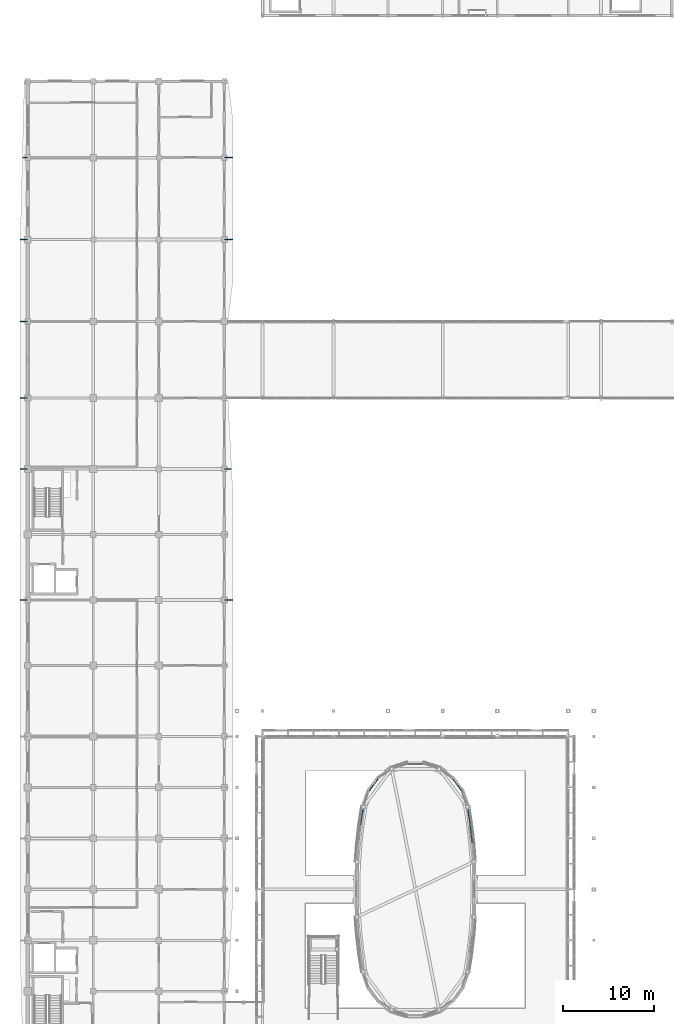
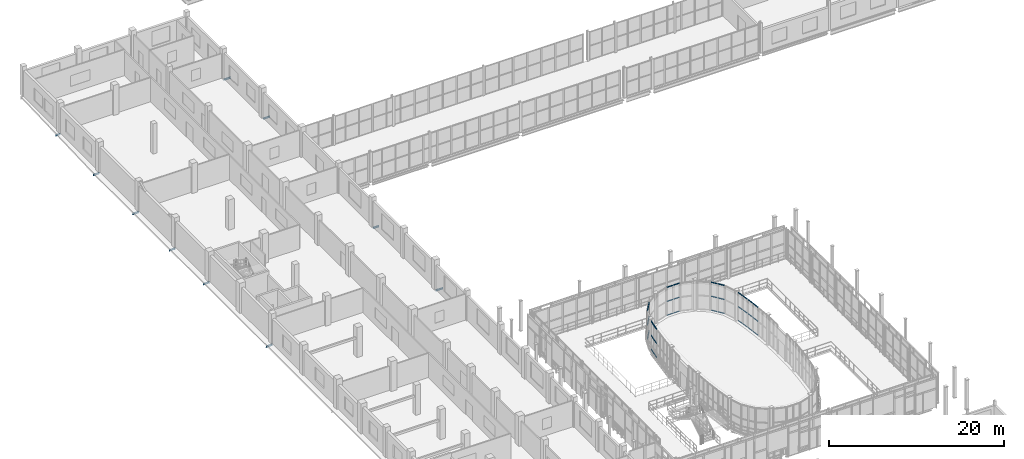
# One storey, part 75 of 121: 36 members, 10 beams, 6 elements without a shape of their own.
"""IFC4 building model written with IfcOpenShell, lengths in metres."""

import ifcopenshell
import ifcopenshell.guid

model = None  # the IFC model being written
_history = None  # IfcOwnerHistory: only IFC2X3 demands one
_inside = {}  # id of a spatial element -> (the spatial element, [elements in it])
_under = {}  # id of a project, library or spatial element -> (it, [spatial elements below it])
_declared = {}  # id of a project -> (the project, [libraries it declares])
_typed = {}  # id of a type object -> (the type object, [elements of that type])
_made_of = {}  # id of a material, layer set ... -> (it, [elements and type objects made of it])


def new_model(schema):
    """Start an empty IFC model of exactly this schema.

    Asked for "IFC4X3", IfcOpenShell would pick the latest addendum, in which some entities
    have other attributes; the version numbers below select the first issue.
    IFC2X3 requires an IfcOwnerHistory on every rooted entity: one is made here for all.
    """
    global model, _history
    if schema == "IFC4X3":
        model = ifcopenshell.file(schema_version=(4, 3, 0, 0))
    else:
        model = ifcopenshell.file(schema=schema)
    _inside.clear()
    _under.clear()
    _declared.clear()
    _typed.clear()
    _made_of.clear()
    _history = None
    if model.schema == "IFC2X3":
        org = make("IfcOrganization", Name="unknown")
        user = make(
            "IfcPersonAndOrganization",
            ThePerson=make("IfcPerson", FamilyName="unknown"),
            TheOrganization=org,
        )
        app = make(
            "IfcApplication",
            ApplicationDeveloper=org,
            Version="unknown",
            ApplicationFullName="unknown",
            ApplicationIdentifier="unknown",
        )
        _history = make(
            "IfcOwnerHistory",
            OwningUser=user,
            OwningApplication=app,
            ChangeAction="ADDED",
            CreationDate=0,
        )
    return model


def make(cls, **values):
    """One entity of the class cls with the attributes given. An attribute that is None is left unset."""
    return model.create_entity(
        cls, **{name: value for name, value in values.items() if value is not None}
    )


def rooted(cls, **values):
    """An entity with a GlobalId (a new one), such as an element, a storey or a relation."""
    return make(cls, GlobalId=ifcopenshell.guid.new(), OwnerHistory=_history, **values)


def si_unit(unit_type, name, prefix=None):
    """IfcSIUnit, for example si_unit("LENGTHUNIT", "METRE", prefix="MILLI")."""
    return make("IfcSIUnit", UnitType=unit_type, Prefix=prefix, Name=name)


def assignment(units):
    """IfcUnitAssignment: the units of a project."""
    return None if units is None else make("IfcUnitAssignment", Units=units)


def point(xyz):
    """IfcCartesianPoint."""
    return None if xyz is None else make("IfcCartesianPoint", Coordinates=xyz)


def direction(xyz):
    """IfcDirection."""
    return None if xyz is None else make("IfcDirection", DirectionRatios=xyz)


def frame(location, z_axis=None, x_axis=None):
    """IfcAxis2Placement3D, a coordinate frame: its origin and axes. An axis left out is left unset."""
    return make(
        "IfcAxis2Placement3D",
        Location=point(location),
        Axis=direction(z_axis),
        RefDirection=direction(x_axis),
    )


def frame_2d(location, x_axis=None):
    """IfcAxis2Placement2D, a coordinate frame in the plane: its origin and x axis."""
    return make(
        "IfcAxis2Placement2D", Location=point(location), RefDirection=direction(x_axis)
    )


def origin():
    """The frame at (0, 0, 0) with its axes left unset."""
    return frame((0.0, 0.0, 0.0))


def origin_2d():
    """The frame at (0, 0) in the plane with its x axis left unset."""
    return frame_2d((0.0, 0.0))


def place(relative_to, where):
    """IfcLocalPlacement: puts the frame where relative to a parent placement (None: the world)."""
    return make(
        "IfcLocalPlacement", PlacementRelTo=relative_to, RelativePlacement=where
    )


def context(
    kind, dimensions, precision=None, world=None, true_north=None, identifier=None
):
    """IfcGeometricRepresentationContext, for example the 3D "Model" context."""
    return make(
        "IfcGeometricRepresentationContext",
        ContextIdentifier=identifier,
        ContextType=kind,
        CoordinateSpaceDimension=dimensions,
        Precision=precision,
        WorldCoordinateSystem=world,
        TrueNorth=true_north,
    )


def subcontext(parent, identifier, kind, view, scale=None):
    """IfcGeometricRepresentationSubContext, for example "Body" below "Model"."""
    return make(
        "IfcGeometricRepresentationSubContext",
        ContextIdentifier=identifier,
        ContextType=kind,
        ParentContext=parent,
        TargetScale=scale,
        TargetView=view,
    )


def project(units=None, contexts=None):
    """IfcProject with its units and contexts."""
    return rooted(
        "IfcProject",
        Name="project",
        RepresentationContexts=contexts,
        UnitsInContext=assignment(units),
    )


def spatial(cls, under=None, at=None, **own):
    """A site, building, storey or space (cls), placed at a placement, below another one or the project."""
    s = rooted(cls, ObjectPlacement=at, **own)
    if under is not None:
        _under.setdefault(under.id(), (under, []))[1].append(s)
    return s


def profile(cls, at=None, kind="AREA", **sizes):
    """A parametric profile (cls). Its sizes go by their IFC names, for example OverallWidth=200.0."""
    return make(cls, ProfileType=kind, Position=at, **sizes)


def hollow_rectangle(**sizes):
    """IfcRectangleHollowProfileDef."""
    return profile("IfcRectangleHollowProfileDef", **sizes)


def i_section(**sizes):
    """IfcIShapeProfileDef."""
    return profile("IfcIShapeProfileDef", **sizes)


def extrude(swept, where, along, depth):
    """IfcExtrudedAreaSolid: the profile swept, set in the frame where, extruded along a direction by depth."""
    return make(
        "IfcExtrudedAreaSolid",
        SweptArea=swept,
        Position=where,
        ExtrudedDirection=direction(along),
        Depth=depth,
    )


def shape(context_of_items, identifier, shape_type, items):
    """IfcShapeRepresentation: the items that make up one representation, for example the "Body"."""
    return make(
        "IfcShapeRepresentation",
        ContextOfItems=context_of_items,
        RepresentationIdentifier=identifier,
        RepresentationType=shape_type,
        Items=items,
    )


def material(Name=None, Category=None):
    """IfcMaterial."""
    return make("IfcMaterial", Name=Name, Category=Category)


def layer(
    of_material, thickness, ventilated=None, Name=None, Category=None, Priority=None
):
    """IfcMaterialLayer: one layer of a wall or slab, of a material (None: an air gap)."""
    return make(
        "IfcMaterialLayer",
        Material=of_material,
        LayerThickness=thickness,
        IsVentilated=ventilated,
        Name=Name,
        Category=Category,
        Priority=Priority,
    )


def layer_set(layers, Name=None):
    """IfcMaterialLayerSet."""
    return make("IfcMaterialLayerSet", MaterialLayers=layers, LayerSetName=Name)


def material_profile(
    of_material, cross_section, Name=None, Category=None, Priority=None
):
    """IfcMaterialProfile: a cross section and its material."""
    return make(
        "IfcMaterialProfile",
        Name=Name,
        Material=of_material,
        Profile=cross_section,
        Priority=Priority,
        Category=Category,
    )


def profile_set(profiles, Name=None, composite=None):
    """IfcMaterialProfileSet."""
    return make(
        "IfcMaterialProfileSet",
        Name=Name,
        MaterialProfiles=profiles,
        CompositeProfile=composite,
    )


def made_of(thing, what):
    """Note that an element or type object is made of a material, layer set ...; save() writes the relation."""
    if what is not None:
        _made_of.setdefault(what.id(), (what, []))[1].append(thing)
    return thing


def type_object(cls, material=None, **own):
    """A type object (cls), such as IfcWallType, which elements share."""
    return made_of(rooted(cls, **own), material)


def element(
    cls,
    number,
    at=None,
    inside=None,
    cuts=None,
    type_object=None,
    material=None,
    context=None,
    identifier="Body",
    shape_type=None,
    held_by="IfcProductDefinitionShape",
    body=None,
    shapes=None,
    **own,
):
    """One element of the class cls, such as IfcWall. Its Tag is "e" and its number.

    at: its placement. inside: the storey or other place that contains it. cuts: it is an
    opening in that element (IfcRelVoidsElement). A single representation is given by context,
    identifier, shape_type and body (its items); several are given by shapes. held_by: the class
    of the entity that holds the representations. save() writes the other relations.
    """
    e = rooted(cls, Tag="e%d" % number, ObjectPlacement=at, **own)
    if body is not None:
        shapes = [shape(context, identifier, shape_type, body)]
    if shapes is not None:
        e.Representation = make(held_by, Representations=shapes)
    if inside is not None:
        _inside.setdefault(inside.id(), (inside, []))[1].append(e)
    if cuts is not None:
        rooted(
            "IfcRelVoidsElement", RelatingBuildingElement=cuts, RelatedOpeningElement=e
        )
    if type_object is not None:
        _typed.setdefault(type_object.id(), (type_object, []))[1].append(e)
    return made_of(e, material)


def aggregate(whole, parts):
    """IfcRelAggregates: a whole, such as a stair, and the parts it consists of."""
    return rooted("IfcRelAggregates", RelatingObject=whole, RelatedObjects=parts)


def save(model, path):
    """Write the relations noted so far, then the file.

    IfcRelAggregates (storeys below a building ...), IfcRelContainedInSpatialStructure (elements
    in a storey), IfcRelDefinesByType, IfcRelAssociatesMaterial and IfcRelDeclares: one each for
    every whole, place, type object, material and project.
    """
    for whole, parts in _under.values():
        aggregate(whole, parts)
    for where, things in _inside.values():
        rooted(
            "IfcRelContainedInSpatialStructure",
            RelatedElements=things,
            RelatingStructure=where,
        )
    for kind, things in _typed.values():
        rooted("IfcRelDefinesByType", RelatedObjects=things, RelatingType=kind)
    for what, things in _made_of.values():
        rooted("IfcRelAssociatesMaterial", RelatedObjects=things, RelatingMaterial=what)
    for by, libraries in _declared.values():
        rooted("IfcRelDeclares", RelatingContext=by, RelatedDefinitions=libraries)
    model.write(path)


model = new_model("IFC4")

# Units and contexts
model_context = context("Model", 3, precision=1e-05, world=origin(), true_north=direction((0.0, 1.0)))
body_context = subcontext(model_context, "Body", "Model", "MODEL_VIEW")
ifc_project = project(units=[si_unit("LENGTHUNIT", "METRE"), si_unit("AREAUNIT", "SQUARE_METRE"), si_unit("VOLUMEUNIT", "CUBIC_METRE"), si_unit("PLANEANGLEUNIT", "RADIAN"), si_unit("MASSUNIT", "GRAM", prefix="KILO")], contexts=[model_context])

# Site, building, storey
site_placement = place(None, origin())
site = spatial("IfcSite", under=ifc_project, at=site_placement, CompositionType="ELEMENT")
building_placement = place(site_placement, origin())
building = spatial("IfcBuilding", under=site, at=building_placement, Name="Vinh Khe Railworks Police Headquarters", CompositionType="ELEMENT")
storey_placement = place(building_placement, frame((0.0, 0.0, 4.800048828125)))
storey = spatial("IfcBuildingStorey", under=building, at=storey_placement, Name="L01", CompositionType="ELEMENT", Elevation=4.800048828125)

# Beams
ifc_material_1 = material(Name="Steel S355JR", Category="steel")
ifc_material_profile_1 = material_profile(ifc_material_1, i_section(OverallWidth=0.1201171875, OverallDepth=0.239990234375, WebThickness=0.006103515625, FlangeThickness=0.009765625, FilletRadius=0.014892578125, at=origin_2d()), Name="IPE 240")
ifc_profile_set_1 = profile_set([ifc_material_profile_1], Name="Steel S355JR")
beam_type = type_object("IfcBeamType", Name="Monsoon Hood Outrigger IPE 240", PredefinedType="BEAM", material=ifc_profile_set_1)
for number, where, z_axis, x_axis, name in (
    (1, (-0.25, 73.800048828125, -0.360107421875), (1.0, 0.0, 0.0), (0.0, 1.0, 0.0), "Monsoon Sun-Hood Outrigger L01-006"),
    (2, (-0.25, 88.199951171875, -0.360107421875), (1.0, 0.0, 0.0), (0.0, 1.0, 0.0), "Monsoon Sun-Hood Outrigger L01-007"),
    (3, (-0.25, 96.0, -0.360107421875), (1.0, 0.0, 0.0), (0.0, 1.0, 0.0), "Monsoon Sun-Hood Outrigger L01-008"),
    (4, (-0.25, 104.39990234375, -0.360107421875), (1.0, 0.0, 0.0), (0.0, 1.0, 0.0), "Monsoon Sun-Hood Outrigger L01-009"),
):
    element("IfcBeam", number, at=place(storey_placement, frame(where, z_axis=z_axis, x_axis=x_axis)), inside=storey, type_object=beam_type, Name=name, PredefinedType="BEAM", context=body_context, shape_type="SweptSolid", body=[
        extrude(i_section(OverallWidth=0.1201171875, OverallDepth=0.239990234375, WebThickness=0.006103515625, FlangeThickness=0.009765625, FilletRadius=0.014892578125, at=origin_2d()), origin(), (0.0, 0.0, 1.0), 0.85009765625),
    ])
beam_1_placement = place(storey_placement, frame((-0.231201171875, 113.39990234375, -0.360107421875), z_axis=(1.0, 0.0, 0.0), x_axis=(0.0, 1.0, 0.0)))
element("IfcBeam", 5, at=beam_1_placement, inside=storey, type_object=beam_type, Name="Monsoon Sun-Hood Outrigger L01-010", PredefinedType="BEAM", context=body_context, shape_type="SweptSolid", body=[
    extrude(i_section(OverallWidth=0.1201171875, OverallDepth=0.239990234375, WebThickness=0.006103515625, FlangeThickness=0.009765625, FilletRadius=0.014892578125, at=origin_2d()), origin(), (0.0, 0.0, 1.0), 0.831298828125),
])
beam_2_placement = place(storey_placement, frame((-0.002197265625, 122.39990234375, -0.360107421875), z_axis=(1.0, 0.0, 0.0), x_axis=(0.0, 1.0, 0.0)))
element("IfcBeam", 6, at=beam_2_placement, inside=storey, type_object=beam_type, Name="Monsoon Sun-Hood Outrigger L01-011", PredefinedType="BEAM", context=body_context, shape_type="SweptSolid", body=[
    extrude(i_section(OverallWidth=0.1201171875, OverallDepth=0.239990234375, WebThickness=0.006103515625, FlangeThickness=0.009765625, FilletRadius=0.014892578125, at=origin_2d()), origin(), (0.0, 0.0, 1.0), 0.602294921875),
])
beam_3_placement = place(storey_placement, frame((22.199951171875, 73.800048828125, -0.360107421875), z_axis=(1.0, 0.0, 0.0), x_axis=(0.0, 1.0, 0.0)))
element("IfcBeam", 7, at=beam_3_placement, inside=storey, type_object=beam_type, Name="Monsoon Sun-Hood Outrigger L01-016", PredefinedType="BEAM", context=body_context, shape_type="SweptSolid", body=[
    extrude(i_section(OverallWidth=0.1201171875, OverallDepth=0.239990234375, WebThickness=0.006103515625, FlangeThickness=0.009765625, FilletRadius=0.014892578125, at=origin_2d()), origin(), (0.0, 0.0, 1.0), 0.949951171875),
])
beam_4_placement = place(storey_placement, frame((22.199951171875, 88.199951171875, -0.360107421875), z_axis=(1.0, 0.0, 0.0), x_axis=(0.0, 1.0, 0.0)))
element("IfcBeam", 8, at=beam_4_placement, inside=storey, type_object=beam_type, Name="Monsoon Sun-Hood Outrigger L01-017", PredefinedType="BEAM", context=body_context, shape_type="SweptSolid", body=[
    extrude(i_section(OverallWidth=0.1201171875, OverallDepth=0.239990234375, WebThickness=0.006103515625, FlangeThickness=0.009765625, FilletRadius=0.014892578125, at=origin_2d()), origin(), (0.0, 0.0, 1.0), 0.808349609375),
])
for number, where, z_axis, x_axis, name in (
    (9, (22.199951171875, 113.39990234375, -0.360107421875), (1.0, 0.0, 0.0), (0.0, 1.0, 0.0), "Monsoon Sun-Hood Outrigger L01-018"),
    (10, (22.199951171875, 122.39990234375, -0.360107421875), (1.0, 0.0, 0.0), (0.0, 1.0, 0.0), "Monsoon Sun-Hood Outrigger L01-019"),
):
    element("IfcBeam", number, at=place(storey_placement, frame(where, z_axis=z_axis, x_axis=x_axis)), inside=storey, type_object=beam_type, Name=name, PredefinedType="BEAM", context=body_context, shape_type="SweptSolid", body=[
        extrude(i_section(OverallWidth=0.1201171875, OverallDepth=0.239990234375, WebThickness=0.006103515625, FlangeThickness=0.009765625, FilletRadius=0.014892578125, at=origin_2d()), origin(), (0.0, 0.0, 1.0), 0.949951171875),
    ])

# Curtain wall, members
ifc_material_2 = material(Name="Anodised aluminium and acoustic laminated glass", Category="aluminium")
ifc_layer = layer(ifc_material_2, 0.159912109375)
ifc_layer_set = layer_set([ifc_layer], Name="Anodised aluminium and acoustic laminated glass")
curtain_wall_type = type_object("IfcCurtainWallType", Name="CW-DRUM-CHORD", PredefinedType="USERDEFINED", material=ifc_layer_set)
curtain_wall_1_placement = place(storey_placement, origin())
curtain_wall_1 = element("IfcCurtainWall", 11, at=curtain_wall_1_placement, inside=storey, type_object=curtain_wall_type, Name="Elliptical Command Drum Glazing L01 Chord 8", ObjectType="DRUM FACADE GLAZING", PredefinedType="USERDEFINED")
ifc_material_3 = material(Name="Anodised aluminium 6063-T6", Category="aluminium")
ifc_material_profile_2 = material_profile(ifc_material_3, hollow_rectangle(XDim=0.06494140625, YDim=0.139892578125, WallThickness=0.00390625, at=origin_2d()), Name="CW-T 65x140x4")
ifc_profile_set_2 = profile_set([ifc_material_profile_2], Name="Anodised aluminium 6063-T6")
member_type = type_object("IfcMemberType", Name="TRAN-CWT-02", PredefinedType="USERDEFINED", material=ifc_profile_set_2)
member_1_placement = place(storey_placement, frame((49.44921875, 47.113037109375, 0.032470703125), z_axis=(-0.115415034378, 0.993317356055, 0.0), x_axis=(-0.993317356055, -0.115415034378, 0.0)))
member_1 = element("IfcMember", 12, at=member_1_placement, type_object=member_type, Name="CW-02 transom 1.1", ObjectType="TRANSOM", PredefinedType="USERDEFINED", context=body_context, shape_type="SweptSolid", body=[
    extrude(hollow_rectangle(XDim=0.06494140625, YDim=0.139892578125, WallThickness=0.00390625, at=origin_2d()), origin(), (0.0, 0.0, 1.0), 0.913818359375),
])
member_2_placement = place(storey_placement, frame((49.44921875, 47.113037109375, 1.98486328125), z_axis=(-0.115415034378, 0.993317356055, 0.0), x_axis=(-0.993317356055, -0.115415034378, 0.0)))
member_2 = element("IfcMember", 13, at=member_2_placement, type_object=member_type, Name="CW-02 transom 1.2", ObjectType="TRANSOM", PredefinedType="USERDEFINED", context=body_context, shape_type="SweptSolid", body=[
    extrude(hollow_rectangle(XDim=0.06494140625, YDim=0.139892578125, WallThickness=0.00390625, at=origin_2d()), origin(), (0.0, 0.0, 1.0), 0.913818359375),
])
member_3_placement = place(storey_placement, frame((49.44921875, 47.113037109375, 3.9375), z_axis=(-0.115415034378, 0.993317356055, 0.0), x_axis=(-0.993317356055, -0.115415034378, 0.0)))
member_3 = element("IfcMember", 14, at=member_3_placement, type_object=member_type, Name="CW-02 transom 1.3", ObjectType="TRANSOM", PredefinedType="USERDEFINED", context=body_context, shape_type="SweptSolid", body=[
    extrude(hollow_rectangle(XDim=0.06494140625, YDim=0.139892578125, WallThickness=0.00390625, at=origin_2d()), origin(), (0.0, 0.0, 1.0), 0.913818359375),
])
member_4_placement = place(storey_placement, frame((49.33642578125, 48.085205078125, 0.032470703125), z_axis=(-0.115415034378, 0.993317356055, 0.0), x_axis=(-0.993317356055, -0.115415034378, 0.0)))
member_4 = element("IfcMember", 15, at=member_4_placement, type_object=member_type, Name="CW-02 transom 2.1", ObjectType="TRANSOM", PredefinedType="USERDEFINED", context=body_context, shape_type="SweptSolid", body=[
    extrude(hollow_rectangle(XDim=0.06494140625, YDim=0.139892578125, WallThickness=0.00390625, at=origin_2d()), origin(), (0.0, 0.0, 1.0), 0.913818359375),
])
member_5_placement = place(storey_placement, frame((49.33642578125, 48.085205078125, 1.98486328125), z_axis=(-0.115415034378, 0.993317356055, 0.0), x_axis=(-0.993317356055, -0.115415034378, 0.0)))
member_5 = element("IfcMember", 16, at=member_5_placement, type_object=member_type, Name="CW-02 transom 2.2", ObjectType="TRANSOM", PredefinedType="USERDEFINED", context=body_context, shape_type="SweptSolid", body=[
    extrude(hollow_rectangle(XDim=0.06494140625, YDim=0.139892578125, WallThickness=0.00390625, at=origin_2d()), origin(), (0.0, 0.0, 1.0), 0.913818359375),
])
member_6_placement = place(storey_placement, frame((49.33642578125, 48.085205078125, 3.9375), z_axis=(-0.115415034378, 0.993317356055, 0.0), x_axis=(-0.993317356055, -0.115415034378, 0.0)))
member_6 = element("IfcMember", 17, at=member_6_placement, type_object=member_type, Name="CW-02 transom 2.3", ObjectType="TRANSOM", PredefinedType="USERDEFINED", context=body_context, shape_type="SweptSolid", body=[
    extrude(hollow_rectangle(XDim=0.06494140625, YDim=0.139892578125, WallThickness=0.00390625, at=origin_2d()), origin(), (0.0, 0.0, 1.0), 0.913818359375),
])
aggregate(curtain_wall_1, [member_1, member_2, member_3, member_4, member_5, member_6])

curtain_wall_2_placement = place(storey_placement, origin())
curtain_wall_2 = element("IfcCurtainWall", 18, at=curtain_wall_2_placement, inside=storey, type_object=curtain_wall_type, Name="Elliptical Command Drum Glazing L01 Chord 9", ObjectType="DRUM FACADE GLAZING", PredefinedType="USERDEFINED")
member_7_placement = place(storey_placement, frame((49.213623046875, 49.12158203125, 0.032470703125), z_axis=(-0.153680594828, 0.988120577042, 0.0), x_axis=(-0.988120577042, -0.153680594828, 0.0)))
member_7 = element("IfcMember", 19, at=member_7_placement, type_object=member_type, Name="CW-02 transom 1.1", ObjectType="TRANSOM", PredefinedType="USERDEFINED", context=body_context, shape_type="SweptSolid", body=[
    extrude(hollow_rectangle(XDim=0.06494140625, YDim=0.139892578125, WallThickness=0.00390625, at=origin_2d()), origin(), (0.0, 0.0, 1.0), 0.80224609375),
])
member_8_placement = place(storey_placement, frame((49.213623046875, 49.12158203125, 1.98486328125), z_axis=(-0.153680594828, 0.988120577042, 0.0), x_axis=(-0.988120577042, -0.153680594828, 0.0)))
member_8 = element("IfcMember", 20, at=member_8_placement, type_object=member_type, Name="CW-02 transom 1.2", ObjectType="TRANSOM", PredefinedType="USERDEFINED", context=body_context, shape_type="SweptSolid", body=[
    extrude(hollow_rectangle(XDim=0.06494140625, YDim=0.139892578125, WallThickness=0.00390625, at=origin_2d()), origin(), (0.0, 0.0, 1.0), 0.80224609375),
])
member_9_placement = place(storey_placement, frame((49.213623046875, 49.12158203125, 3.9375), z_axis=(-0.153680594828, 0.988120577042, 0.0), x_axis=(-0.988120577042, -0.153680594828, 0.0)))
member_9 = element("IfcMember", 21, at=member_9_placement, type_object=member_type, Name="CW-02 transom 1.3", ObjectType="TRANSOM", PredefinedType="USERDEFINED", context=body_context, shape_type="SweptSolid", body=[
    extrude(hollow_rectangle(XDim=0.06494140625, YDim=0.139892578125, WallThickness=0.00390625, at=origin_2d()), origin(), (0.0, 0.0, 1.0), 0.80224609375),
])
member_10_placement = place(storey_placement, frame((49.080322265625, 49.978515625, 0.032470703125), z_axis=(-0.153429584149, 0.988159583624, 0.0), x_axis=(-0.988159583624, -0.153429584149, 0.0)))
member_10 = element("IfcMember", 22, at=member_10_placement, type_object=member_type, Name="CW-02 transom 2.1", ObjectType="TRANSOM", PredefinedType="USERDEFINED", context=body_context, shape_type="SweptSolid", body=[
    extrude(hollow_rectangle(XDim=0.06494140625, YDim=0.139892578125, WallThickness=0.00390625, at=origin_2d()), origin(), (0.0, 0.0, 1.0), 0.802001953125),
])
member_11_placement = place(storey_placement, frame((49.080322265625, 49.978515625, 1.98486328125), z_axis=(-0.153429584149, 0.988159583624, 0.0), x_axis=(-0.988159583624, -0.153429584149, 0.0)))
member_11 = element("IfcMember", 23, at=member_11_placement, type_object=member_type, Name="CW-02 transom 2.2", ObjectType="TRANSOM", PredefinedType="USERDEFINED", context=body_context, shape_type="SweptSolid", body=[
    extrude(hollow_rectangle(XDim=0.06494140625, YDim=0.139892578125, WallThickness=0.00390625, at=origin_2d()), origin(), (0.0, 0.0, 1.0), 0.802001953125),
])
member_12_placement = place(storey_placement, frame((49.080322265625, 49.978515625, 3.9375), z_axis=(-0.153429584149, 0.988159583624, 0.0), x_axis=(-0.988159583624, -0.153429584149, 0.0)))
member_12 = element("IfcMember", 24, at=member_12_placement, type_object=member_type, Name="CW-02 transom 2.3", ObjectType="TRANSOM", PredefinedType="USERDEFINED", context=body_context, shape_type="SweptSolid", body=[
    extrude(hollow_rectangle(XDim=0.06494140625, YDim=0.139892578125, WallThickness=0.00390625, at=origin_2d()), origin(), (0.0, 0.0, 1.0), 0.802001953125),
])
aggregate(curtain_wall_2, [member_7, member_8, member_9, member_10, member_11, member_12])

curtain_wall_3_placement = place(storey_placement, origin())
curtain_wall_3 = element("IfcCurtainWall", 25, at=curtain_wall_3_placement, inside=storey, type_object=curtain_wall_type, Name="Elliptical Command Drum Glazing L01 Chord 11", ObjectType="DRUM FACADE GLAZING", PredefinedType="USERDEFINED")
member_13_placement = place(storey_placement, frame((48.29541015625, 52.805908203125, 0.032470703125), z_axis=(-0.596672514384, 0.802484835108, 0.0), x_axis=(-0.802484835108, -0.596672514384, 0.0)))
member_13 = element("IfcMember", 26, at=member_13_placement, type_object=member_type, Name="CW-02 transom 1.1", ObjectType="TRANSOM", PredefinedType="USERDEFINED", context=body_context, shape_type="SweptSolid", body=[
    extrude(hollow_rectangle(XDim=0.06494140625, YDim=0.139892578125, WallThickness=0.00390625, at=origin_2d()), origin(), (0.0, 0.0, 1.0), 0.799560546875),
])
member_14_placement = place(storey_placement, frame((48.29541015625, 52.805908203125, 1.98486328125), z_axis=(-0.596672514384, 0.802484835108, 0.0), x_axis=(-0.802484835108, -0.596672514384, 0.0)))
member_14 = element("IfcMember", 27, at=member_14_placement, type_object=member_type, Name="CW-02 transom 1.2", ObjectType="TRANSOM", PredefinedType="USERDEFINED", context=body_context, shape_type="SweptSolid", body=[
    extrude(hollow_rectangle(XDim=0.06494140625, YDim=0.139892578125, WallThickness=0.00390625, at=origin_2d()), origin(), (0.0, 0.0, 1.0), 0.799560546875),
])
member_15_placement = place(storey_placement, frame((48.29541015625, 52.805908203125, 3.9375), z_axis=(-0.596672514384, 0.802484835108, 0.0), x_axis=(-0.802484835108, -0.596672514384, 0.0)))
member_15 = element("IfcMember", 28, at=member_15_placement, type_object=member_type, Name="CW-02 transom 1.3", ObjectType="TRANSOM", PredefinedType="USERDEFINED", context=body_context, shape_type="SweptSolid", body=[
    extrude(hollow_rectangle(XDim=0.06494140625, YDim=0.139892578125, WallThickness=0.00390625, at=origin_2d()), origin(), (0.0, 0.0, 1.0), 0.799560546875),
])
member_16_placement = place(storey_placement, frame((47.779541015625, 53.499755859375, 0.032470703125), z_axis=(-0.596475814623, 0.802631050091, 0.0), x_axis=(-0.802631050091, -0.596475814623, 0.0)))
member_16 = element("IfcMember", 29, at=member_16_placement, type_object=member_type, Name="CW-02 transom 2.1", ObjectType="TRANSOM", PredefinedType="USERDEFINED", context=body_context, shape_type="SweptSolid", body=[
    extrude(hollow_rectangle(XDim=0.06494140625, YDim=0.139892578125, WallThickness=0.00390625, at=origin_2d()), origin(), (0.0, 0.0, 1.0), 0.79931640625),
])
member_17_placement = place(storey_placement, frame((47.779541015625, 53.499755859375, 1.98486328125), z_axis=(-0.596475814623, 0.802631050091, 0.0), x_axis=(-0.802631050091, -0.596475814623, 0.0)))
member_17 = element("IfcMember", 30, at=member_17_placement, type_object=member_type, Name="CW-02 transom 2.2", ObjectType="TRANSOM", PredefinedType="USERDEFINED", context=body_context, shape_type="SweptSolid", body=[
    extrude(hollow_rectangle(XDim=0.06494140625, YDim=0.139892578125, WallThickness=0.00390625, at=origin_2d()), origin(), (0.0, 0.0, 1.0), 0.79931640625),
])
member_18_placement = place(storey_placement, frame((47.779541015625, 53.499755859375, 3.9375), z_axis=(-0.596475814623, 0.802631050091, 0.0), x_axis=(-0.802631050091, -0.596475814623, 0.0)))
member_18 = element("IfcMember", 31, at=member_18_placement, type_object=member_type, Name="CW-02 transom 2.3", ObjectType="TRANSOM", PredefinedType="USERDEFINED", context=body_context, shape_type="SweptSolid", body=[
    extrude(hollow_rectangle(XDim=0.06494140625, YDim=0.139892578125, WallThickness=0.00390625, at=origin_2d()), origin(), (0.0, 0.0, 1.0), 0.79931640625),
])
aggregate(curtain_wall_3, [member_13, member_14, member_15, member_16, member_17, member_18])

curtain_wall_4_placement = place(storey_placement, origin())
curtain_wall_4 = element("IfcCurtainWall", 32, at=curtain_wall_4_placement, inside=storey, type_object=curtain_wall_type, Name="Elliptical Command Drum Glazing L01 Chord 14", ObjectType="DRUM FACADE GLAZING", PredefinedType="USERDEFINED")
member_19_placement = place(storey_placement, frame((44.031982421875, 55.78564453125, 0.032470703125), z_axis=(-1.0, 0.0, 0.0), x_axis=(0.0, -1.0, 0.0)))
member_19 = element("IfcMember", 33, at=member_19_placement, type_object=member_type, Name="CW-02 transom 1.1", ObjectType="TRANSOM", PredefinedType="USERDEFINED", context=body_context, shape_type="SweptSolid", body=[
    extrude(hollow_rectangle(XDim=0.06494140625, YDim=0.139892578125, WallThickness=0.00390625, at=origin_2d()), origin(), (0.0, 0.0, 1.0), 0.799560546875),
])
member_20_placement = place(storey_placement, frame((44.031982421875, 55.78564453125, 1.98486328125), z_axis=(-1.0, 0.0, 0.0), x_axis=(0.0, -1.0, 0.0)))
member_20 = element("IfcMember", 34, at=member_20_placement, type_object=member_type, Name="CW-02 transom 1.2", ObjectType="TRANSOM", PredefinedType="USERDEFINED", context=body_context, shape_type="SweptSolid", body=[
    extrude(hollow_rectangle(XDim=0.06494140625, YDim=0.139892578125, WallThickness=0.00390625, at=origin_2d()), origin(), (0.0, 0.0, 1.0), 0.799560546875),
])
member_21_placement = place(storey_placement, frame((44.031982421875, 55.78564453125, 3.9375), z_axis=(-1.0, 0.0, 0.0), x_axis=(0.0, -1.0, 0.0)))
member_21 = element("IfcMember", 35, at=member_21_placement, type_object=member_type, Name="CW-02 transom 1.3", ObjectType="TRANSOM", PredefinedType="USERDEFINED", context=body_context, shape_type="SweptSolid", body=[
    extrude(hollow_rectangle(XDim=0.06494140625, YDim=0.139892578125, WallThickness=0.00390625, at=origin_2d()), origin(), (0.0, 0.0, 1.0), 0.799560546875),
])
member_22_placement = place(storey_placement, frame((43.16748046875, 55.78564453125, 0.032470703125), z_axis=(-1.0, 0.0, 0.0), x_axis=(0.0, -1.0, 0.0)))
member_22 = element("IfcMember", 36, at=member_22_placement, type_object=member_type, Name="CW-02 transom 2.1", ObjectType="TRANSOM", PredefinedType="USERDEFINED", context=body_context, shape_type="SweptSolid", body=[
    extrude(hollow_rectangle(XDim=0.06494140625, YDim=0.139892578125, WallThickness=0.00390625, at=origin_2d()), origin(), (0.0, 0.0, 1.0), 0.799560546875),
])
member_23_placement = place(storey_placement, frame((43.16748046875, 55.78564453125, 1.98486328125), z_axis=(-1.0, 0.0, 0.0), x_axis=(0.0, -1.0, 0.0)))
member_23 = element("IfcMember", 37, at=member_23_placement, type_object=member_type, Name="CW-02 transom 2.2", ObjectType="TRANSOM", PredefinedType="USERDEFINED", context=body_context, shape_type="SweptSolid", body=[
    extrude(hollow_rectangle(XDim=0.06494140625, YDim=0.139892578125, WallThickness=0.00390625, at=origin_2d()), origin(), (0.0, 0.0, 1.0), 0.799560546875),
])
member_24_placement = place(storey_placement, frame((43.16748046875, 55.78564453125, 3.9375), z_axis=(-1.0, 0.0, 0.0), x_axis=(0.0, -1.0, 0.0)))
member_24 = element("IfcMember", 38, at=member_24_placement, type_object=member_type, Name="CW-02 transom 2.3", ObjectType="TRANSOM", PredefinedType="USERDEFINED", context=body_context, shape_type="SweptSolid", body=[
    extrude(hollow_rectangle(XDim=0.06494140625, YDim=0.139892578125, WallThickness=0.00390625, at=origin_2d()), origin(), (0.0, 0.0, 1.0), 0.799560546875),
])
aggregate(curtain_wall_4, [member_19, member_20, member_21, member_22, member_23, member_24])

curtain_wall_5_placement = place(storey_placement, origin())
curtain_wall_5 = element("IfcCurtainWall", 39, at=curtain_wall_5_placement, inside=storey, type_object=curtain_wall_type, Name="Elliptical Command Drum Glazing L01 Chord 17", ObjectType="DRUM FACADE GLAZING", PredefinedType="USERDEFINED")
member_25_placement = place(storey_placement, frame((39.09716796875, 54.141357421875, 0.032470703125), z_axis=(-0.596475814623, -0.802631050091, 0.0), x_axis=(0.802631050091, -0.596475814623, 0.0)))
member_25 = element("IfcMember", 40, at=member_25_placement, type_object=member_type, Name="CW-02 transom 1.1", ObjectType="TRANSOM", PredefinedType="USERDEFINED", context=body_context, shape_type="SweptSolid", body=[
    extrude(hollow_rectangle(XDim=0.06494140625, YDim=0.139892578125, WallThickness=0.00390625, at=origin_2d()), origin(), (0.0, 0.0, 1.0), 0.79931640625),
])
member_26_placement = place(storey_placement, frame((39.09716796875, 54.141357421875, 1.98486328125), z_axis=(-0.596475814623, -0.802631050091, 0.0), x_axis=(0.802631050091, -0.596475814623, 0.0)))
member_26 = element("IfcMember", 41, at=member_26_placement, type_object=member_type, Name="CW-02 transom 1.2", ObjectType="TRANSOM", PredefinedType="USERDEFINED", context=body_context, shape_type="SweptSolid", body=[
    extrude(hollow_rectangle(XDim=0.06494140625, YDim=0.139892578125, WallThickness=0.00390625, at=origin_2d()), origin(), (0.0, 0.0, 1.0), 0.79931640625),
])
member_27_placement = place(storey_placement, frame((39.09716796875, 54.141357421875, 3.9375), z_axis=(-0.596475814623, -0.802631050091, 0.0), x_axis=(0.802631050091, -0.596475814623, 0.0)))
member_27 = element("IfcMember", 42, at=member_27_placement, type_object=member_type, Name="CW-02 transom 1.3", ObjectType="TRANSOM", PredefinedType="USERDEFINED", context=body_context, shape_type="SweptSolid", body=[
    extrude(hollow_rectangle(XDim=0.06494140625, YDim=0.139892578125, WallThickness=0.00390625, at=origin_2d()), origin(), (0.0, 0.0, 1.0), 0.79931640625),
])
member_28_placement = place(storey_placement, frame((38.58154296875, 53.447509765625, 0.032470703125), z_axis=(-0.596475814623, -0.802631050091, 0.0), x_axis=(0.802631050091, -0.596475814623, 0.0)))
member_28 = element("IfcMember", 43, at=member_28_placement, type_object=member_type, Name="CW-02 transom 2.1", ObjectType="TRANSOM", PredefinedType="USERDEFINED", context=body_context, shape_type="SweptSolid", body=[
    extrude(hollow_rectangle(XDim=0.06494140625, YDim=0.139892578125, WallThickness=0.00390625, at=origin_2d()), origin(), (0.0, 0.0, 1.0), 0.79931640625),
])
member_29_placement = place(storey_placement, frame((38.58154296875, 53.447509765625, 1.98486328125), z_axis=(-0.596475814623, -0.802631050091, 0.0), x_axis=(0.802631050091, -0.596475814623, 0.0)))
member_29 = element("IfcMember", 44, at=member_29_placement, type_object=member_type, Name="CW-02 transom 2.2", ObjectType="TRANSOM", PredefinedType="USERDEFINED", context=body_context, shape_type="SweptSolid", body=[
    extrude(hollow_rectangle(XDim=0.06494140625, YDim=0.139892578125, WallThickness=0.00390625, at=origin_2d()), origin(), (0.0, 0.0, 1.0), 0.79931640625),
])
member_30_placement = place(storey_placement, frame((38.58154296875, 53.447509765625, 3.9375), z_axis=(-0.596475814623, -0.802631050091, 0.0), x_axis=(0.802631050091, -0.596475814623, 0.0)))
member_30 = element("IfcMember", 45, at=member_30_placement, type_object=member_type, Name="CW-02 transom 2.3", ObjectType="TRANSOM", PredefinedType="USERDEFINED", context=body_context, shape_type="SweptSolid", body=[
    extrude(hollow_rectangle(XDim=0.06494140625, YDim=0.139892578125, WallThickness=0.00390625, at=origin_2d()), origin(), (0.0, 0.0, 1.0), 0.79931640625),
])
aggregate(curtain_wall_5, [member_25, member_26, member_27, member_28, member_29, member_30])

curtain_wall_6_placement = place(storey_placement, origin())
curtain_wall_6 = element("IfcCurtainWall", 46, at=curtain_wall_6_placement, inside=storey, type_object=curtain_wall_type, Name="Elliptical Command Drum Glazing L01 Chord 19", ObjectType="DRUM FACADE GLAZING", PredefinedType="USERDEFINED")
member_31_placement = place(storey_placement, frame((37.442626953125, 50.77099609375, 0.032470703125), z_axis=(-0.153429584149, -0.988159583624, 0.0), x_axis=(0.988159583624, -0.153429584149, 0.0)))
member_31 = element("IfcMember", 47, at=member_31_placement, type_object=member_type, Name="CW-02 transom 1.1", ObjectType="TRANSOM", PredefinedType="USERDEFINED", context=body_context, shape_type="SweptSolid", body=[
    extrude(hollow_rectangle(XDim=0.06494140625, YDim=0.139892578125, WallThickness=0.00390625, at=origin_2d()), origin(), (0.0, 0.0, 1.0), 0.802001953125),
])
member_32_placement = place(storey_placement, frame((37.442626953125, 50.77099609375, 1.98486328125), z_axis=(-0.153429584149, -0.988159583624, 0.0), x_axis=(0.988159583624, -0.153429584149, 0.0)))
member_32 = element("IfcMember", 48, at=member_32_placement, type_object=member_type, Name="CW-02 transom 1.2", ObjectType="TRANSOM", PredefinedType="USERDEFINED", context=body_context, shape_type="SweptSolid", body=[
    extrude(hollow_rectangle(XDim=0.06494140625, YDim=0.139892578125, WallThickness=0.00390625, at=origin_2d()), origin(), (0.0, 0.0, 1.0), 0.802001953125),
])
member_33_placement = place(storey_placement, frame((37.442626953125, 50.77099609375, 3.9375), z_axis=(-0.153429584149, -0.988159583624, 0.0), x_axis=(0.988159583624, -0.153429584149, 0.0)))
member_33 = element("IfcMember", 49, at=member_33_placement, type_object=member_type, Name="CW-02 transom 1.3", ObjectType="TRANSOM", PredefinedType="USERDEFINED", context=body_context, shape_type="SweptSolid", body=[
    extrude(hollow_rectangle(XDim=0.06494140625, YDim=0.139892578125, WallThickness=0.00390625, at=origin_2d()), origin(), (0.0, 0.0, 1.0), 0.802001953125),
])
member_34_placement = place(storey_placement, frame((37.3095703125, 49.914306640625, 0.032470703125), z_axis=(-0.153383443285, -0.988166746721, 0.0), x_axis=(0.988166746721, -0.153383443285, 0.0)))
member_34 = element("IfcMember", 50, at=member_34_placement, type_object=member_type, Name="CW-02 transom 2.1", ObjectType="TRANSOM", PredefinedType="USERDEFINED", context=body_context, shape_type="SweptSolid", body=[
    extrude(hollow_rectangle(XDim=0.06494140625, YDim=0.139892578125, WallThickness=0.00390625, at=origin_2d()), origin(), (0.0, 0.0, 1.0), 0.80224609375),
])
member_35_placement = place(storey_placement, frame((37.3095703125, 49.914306640625, 1.98486328125), z_axis=(-0.153383443285, -0.988166746721, 0.0), x_axis=(0.988166746721, -0.153383443285, 0.0)))
member_35 = element("IfcMember", 51, at=member_35_placement, type_object=member_type, Name="CW-02 transom 2.2", ObjectType="TRANSOM", PredefinedType="USERDEFINED", context=body_context, shape_type="SweptSolid", body=[
    extrude(hollow_rectangle(XDim=0.06494140625, YDim=0.139892578125, WallThickness=0.00390625, at=origin_2d()), origin(), (0.0, 0.0, 1.0), 0.80224609375),
])
member_36_placement = place(storey_placement, frame((37.3095703125, 49.914306640625, 3.9375), z_axis=(-0.153383443285, -0.988166746721, 0.0), x_axis=(0.988166746721, -0.153383443285, 0.0)))
member_36 = element("IfcMember", 52, at=member_36_placement, type_object=member_type, Name="CW-02 transom 2.3", ObjectType="TRANSOM", PredefinedType="USERDEFINED", context=body_context, shape_type="SweptSolid", body=[
    extrude(hollow_rectangle(XDim=0.06494140625, YDim=0.139892578125, WallThickness=0.00390625, at=origin_2d()), origin(), (0.0, 0.0, 1.0), 0.80224609375),
])
aggregate(curtain_wall_6, [member_31, member_32, member_33, member_34, member_35, member_36])

save(model, "model.ifc")
